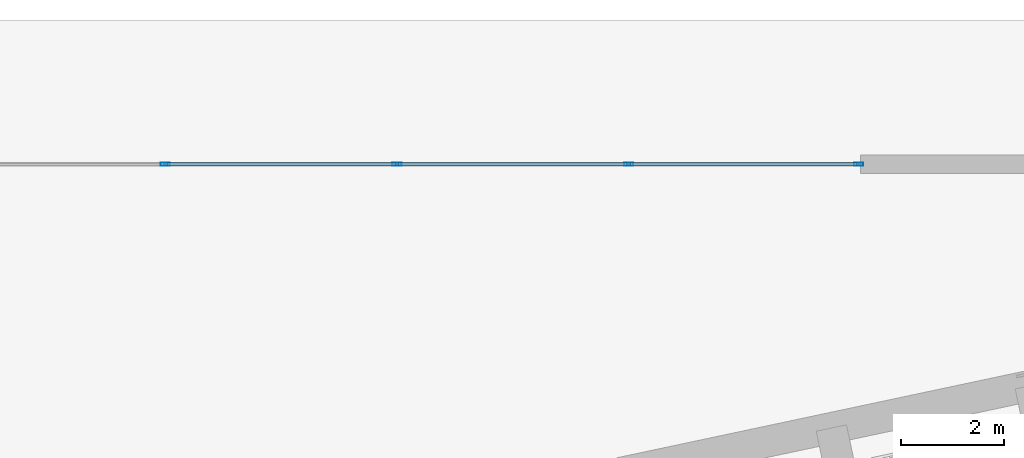
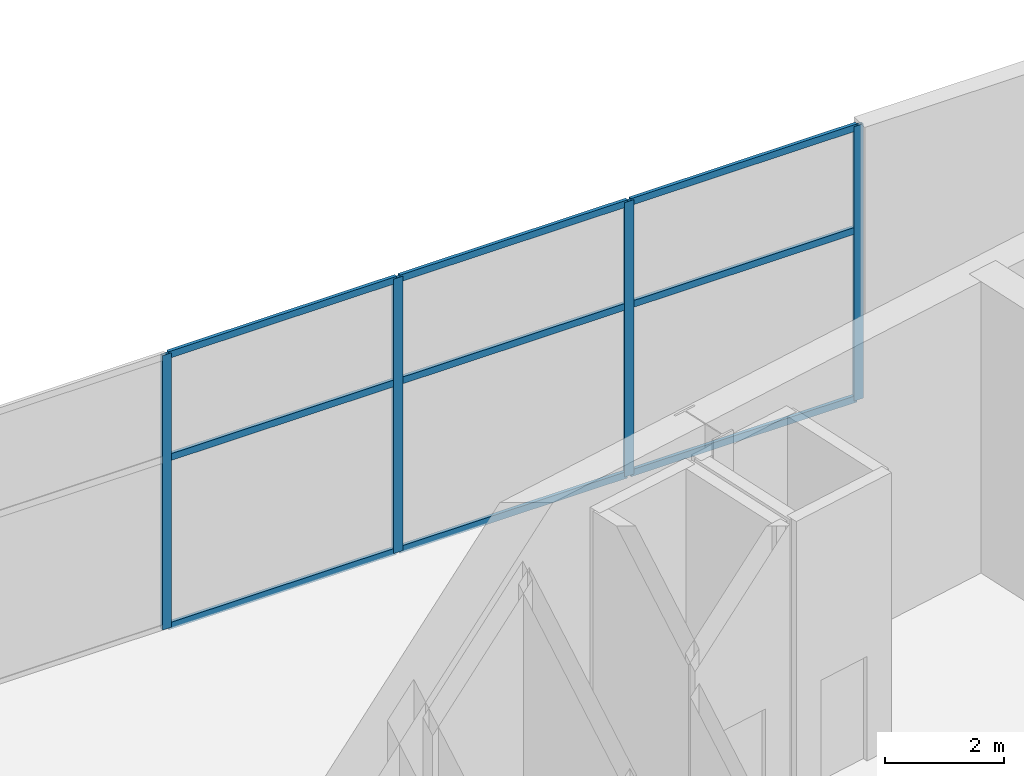
# One storey, part 17 of 30: 13 members, 1 element without a shape of its own.
"""IFC4 building model written with IfcOpenShell, lengths in metres."""

from ifc_helpers import new_model, si_unit, direction, frame, origin, origin_2d, place, context, subcontext, project, spatial, hollow_rectangle, extrude, material, layer, layer_set, material_profile, profile_set, type_object, element, aggregate, save


model = new_model("IFC4")

# Units and contexts
model_context = context("Model", 3, precision=1e-05, world=origin(), true_north=direction((0.0, 1.0)))
body_context = subcontext(model_context, "Body", "Model", "MODEL_VIEW")
ifc_project = project(units=[si_unit("LENGTHUNIT", "METRE"), si_unit("AREAUNIT", "SQUARE_METRE"), si_unit("VOLUMEUNIT", "CUBIC_METRE"), si_unit("PLANEANGLEUNIT", "RADIAN"), si_unit("MASSUNIT", "GRAM", prefix="KILO")], contexts=[model_context])

# Site, building, storey
site_placement = place(None, origin())
site = spatial("IfcSite", under=ifc_project, at=site_placement, CompositionType="ELEMENT")
building_placement = place(site_placement, origin())
building = spatial("IfcBuilding", under=site, at=building_placement, Name="Haevon Station Towers", CompositionType="ELEMENT")
storey_placement = place(building_placement, origin())
storey = spatial("IfcBuildingStorey", under=building, at=storey_placement, Name="L00", CompositionType="ELEMENT", Elevation=0.0)

# Curtain wall, members
ifc_material_1 = material(Name="Anodised aluminium and Low-E double glazing", Category="aluminium")
ifc_layer = layer(ifc_material_1, 0.179931640625)
ifc_layer_set = layer_set([ifc_layer], Name="Anodised aluminium and Low-E double glazing")
curtain_wall_type = type_object("IfcCurtainWallType", Name="CW-SYS1", PredefinedType="NOTDEFINED", material=ifc_layer_set)
curtain_wall_placement = place(storey_placement, origin())
curtain_wall = element("IfcCurtainWall", 1, at=curtain_wall_placement, inside=storey, type_object=curtain_wall_type, Name="L00 Curtain Wall CW-POD-L00-N2", PredefinedType="NOTDEFINED")
ifc_material_2 = material(Name="Anodised aluminium 6063-T6", Category="aluminium")
ifc_material_profile_1 = material_profile(ifc_material_2, hollow_rectangle(XDim=0.06494140625, YDim=0.179931640625, WallThickness=0.00390625, at=origin_2d()), Name="CWM-180x65x4")
ifc_profile_set_1 = profile_set([ifc_material_profile_1], Name="Anodised aluminium 6063-T6")
member_type_1 = type_object("IfcMemberType", Name="CWM-180", PredefinedType="MULLION", material=ifc_profile_set_1)
member_1_placement = place(storey_placement, frame((100.5, 55.5, 0.0), z_axis=(0.0, 0.0, 1.0), x_axis=(0.0, 1.0, 0.0)))
member_1 = element("IfcMember", 2, at=member_1_placement, type_object=member_type_1, Name="CW-SYS1 mullion 2", PredefinedType="MULLION", context=body_context, shape_type="SweptSolid", body=[
    extrude(hollow_rectangle(XDim=0.06494140625, YDim=0.179931640625, WallThickness=0.00390625, at=origin_2d()), origin(), (0.0, 0.0, 1.0), 5.64990234375),
])
member_2_placement = place(storey_placement, frame((105.0, 55.5, 0.0), z_axis=(0.0, 0.0, 1.0), x_axis=(0.0, 1.0, 0.0)))
member_2 = element("IfcMember", 3, at=member_2_placement, type_object=member_type_1, Name="CW-SYS1 mullion 3", PredefinedType="MULLION", context=body_context, shape_type="SweptSolid", body=[
    extrude(hollow_rectangle(XDim=0.06494140625, YDim=0.179931640625, WallThickness=0.00390625, at=origin_2d()), origin(), (0.0, 0.0, 1.0), 5.64990234375),
])
member_3_placement = place(storey_placement, frame((109.5, 55.5, 0.0), z_axis=(0.0, 0.0, 1.0), x_axis=(0.0, 1.0, 0.0)))
member_3 = element("IfcMember", 4, at=member_3_placement, type_object=member_type_1, Name="CW-SYS1 mullion 4", PredefinedType="MULLION", context=body_context, shape_type="SweptSolid", body=[
    extrude(hollow_rectangle(XDim=0.06494140625, YDim=0.179931640625, WallThickness=0.00390625, at=origin_2d()), origin(), (0.0, 0.0, 1.0), 5.64990234375),
])
member_4_placement = place(storey_placement, frame((113.967529296875, 55.5, 0.0), z_axis=(0.0, 0.0, 1.0), x_axis=(0.0, 1.0, 0.0)))
member_4 = element("IfcMember", 5, at=member_4_placement, type_object=member_type_1, Name="CW-SYS1 mullion 5", PredefinedType="MULLION", context=body_context, shape_type="SweptSolid", body=[
    extrude(hollow_rectangle(XDim=0.06494140625, YDim=0.179931640625, WallThickness=0.00390625, at=origin_2d()), origin(), (0.0, 0.0, 1.0), 5.64990234375),
])
ifc_material_profile_2 = material_profile(ifc_material_2, hollow_rectangle(XDim=0.06494140625, YDim=0.139892578125, WallThickness=0.00341796875, at=origin_2d()), Name="CWT-140x65x3.5")
ifc_profile_set_2 = profile_set([ifc_material_profile_2], Name="Anodised aluminium 6063-T6")
member_type_2 = type_object("IfcMemberType", Name="CWT-140", PredefinedType="USERDEFINED", material=ifc_profile_set_2)
member_5_placement = place(storey_placement, frame((100.532470703125, 55.5, 0.032470703125), z_axis=(1.0, 0.0, 0.0), x_axis=(0.0, 1.0, 0.0)))
member_5 = element("IfcMember", 6, at=member_5_placement, type_object=member_type_2, Name="CW-SYS1 transom 2.1", ObjectType="TRANSOM", PredefinedType="USERDEFINED", context=body_context, shape_type="SweptSolid", body=[
    extrude(hollow_rectangle(XDim=0.06494140625, YDim=0.139892578125, WallThickness=0.00341796875, at=origin_2d()), origin(), (0.0, 0.0, 1.0), 4.43505859375),
])
member_6_placement = place(storey_placement, frame((100.532470703125, 55.5, 3.5029296875), z_axis=(1.0, 0.0, 0.0), x_axis=(0.0, 1.0, 0.0)))
member_6 = element("IfcMember", 7, at=member_6_placement, type_object=member_type_2, Name="CW-SYS1 transom 2.2", ObjectType="TRANSOM", PredefinedType="USERDEFINED", context=body_context, shape_type="SweptSolid", body=[
    extrude(hollow_rectangle(XDim=0.06494140625, YDim=0.139892578125, WallThickness=0.00341796875, at=origin_2d()), origin(), (0.0, 0.0, 1.0), 4.43505859375),
])
member_7_placement = place(storey_placement, frame((100.532470703125, 55.5, 5.617431640625), z_axis=(1.0, 0.0, 0.0), x_axis=(0.0, 1.0, 0.0)))
member_7 = element("IfcMember", 8, at=member_7_placement, type_object=member_type_2, Name="CW-SYS1 transom 2.3", ObjectType="TRANSOM", PredefinedType="USERDEFINED", context=body_context, shape_type="SweptSolid", body=[
    extrude(hollow_rectangle(XDim=0.06494140625, YDim=0.139892578125, WallThickness=0.00341796875, at=origin_2d()), origin(), (0.0, 0.0, 1.0), 4.43505859375),
])
member_8_placement = place(storey_placement, frame((105.032470703125, 55.5, 0.032470703125), z_axis=(1.0, 0.0, 0.0), x_axis=(0.0, 1.0, 0.0)))
member_8 = element("IfcMember", 9, at=member_8_placement, type_object=member_type_2, Name="CW-SYS1 transom 3.1", ObjectType="TRANSOM", PredefinedType="USERDEFINED", context=body_context, shape_type="SweptSolid", body=[
    extrude(hollow_rectangle(XDim=0.06494140625, YDim=0.139892578125, WallThickness=0.00341796875, at=origin_2d()), origin(), (0.0, 0.0, 1.0), 4.43505859375),
])
member_9_placement = place(storey_placement, frame((105.032470703125, 55.5, 3.5029296875), z_axis=(1.0, 0.0, 0.0), x_axis=(0.0, 1.0, 0.0)))
member_9 = element("IfcMember", 10, at=member_9_placement, type_object=member_type_2, Name="CW-SYS1 transom 3.2", ObjectType="TRANSOM", PredefinedType="USERDEFINED", context=body_context, shape_type="SweptSolid", body=[
    extrude(hollow_rectangle(XDim=0.06494140625, YDim=0.139892578125, WallThickness=0.00341796875, at=origin_2d()), origin(), (0.0, 0.0, 1.0), 4.43505859375),
])
member_10_placement = place(storey_placement, frame((105.032470703125, 55.5, 5.617431640625), z_axis=(1.0, 0.0, 0.0), x_axis=(0.0, 1.0, 0.0)))
member_10 = element("IfcMember", 11, at=member_10_placement, type_object=member_type_2, Name="CW-SYS1 transom 3.3", ObjectType="TRANSOM", PredefinedType="USERDEFINED", context=body_context, shape_type="SweptSolid", body=[
    extrude(hollow_rectangle(XDim=0.06494140625, YDim=0.139892578125, WallThickness=0.00341796875, at=origin_2d()), origin(), (0.0, 0.0, 1.0), 4.43505859375),
])
member_11_placement = place(storey_placement, frame((109.532470703125, 55.5, 0.032470703125), z_axis=(1.0, 0.0, 0.0), x_axis=(0.0, 1.0, 0.0)))
member_11 = element("IfcMember", 12, at=member_11_placement, type_object=member_type_2, Name="CW-SYS1 transom 4.1", ObjectType="TRANSOM", PredefinedType="USERDEFINED", context=body_context, shape_type="SweptSolid", body=[
    extrude(hollow_rectangle(XDim=0.06494140625, YDim=0.139892578125, WallThickness=0.00341796875, at=origin_2d()), origin(), (0.0, 0.0, 1.0), 4.402587890625),
])
member_12_placement = place(storey_placement, frame((109.532470703125, 55.5, 3.5029296875), z_axis=(1.0, 0.0, 0.0), x_axis=(0.0, 1.0, 0.0)))
member_12 = element("IfcMember", 13, at=member_12_placement, type_object=member_type_2, Name="CW-SYS1 transom 4.2", ObjectType="TRANSOM", PredefinedType="USERDEFINED", context=body_context, shape_type="SweptSolid", body=[
    extrude(hollow_rectangle(XDim=0.06494140625, YDim=0.139892578125, WallThickness=0.00341796875, at=origin_2d()), origin(), (0.0, 0.0, 1.0), 4.402587890625),
])
member_13_placement = place(storey_placement, frame((109.532470703125, 55.5, 5.617431640625), z_axis=(1.0, 0.0, 0.0), x_axis=(0.0, 1.0, 0.0)))
member_13 = element("IfcMember", 14, at=member_13_placement, type_object=member_type_2, Name="CW-SYS1 transom 4.3", ObjectType="TRANSOM", PredefinedType="USERDEFINED", context=body_context, shape_type="SweptSolid", body=[
    extrude(hollow_rectangle(XDim=0.06494140625, YDim=0.139892578125, WallThickness=0.00341796875, at=origin_2d()), origin(), (0.0, 0.0, 1.0), 4.402587890625),
])
aggregate(curtain_wall, [member_1, member_2, member_3, member_4, member_5, member_6, member_7, member_8, member_9, member_10, member_11, member_12, member_13])

save(model, "model.ifc")
